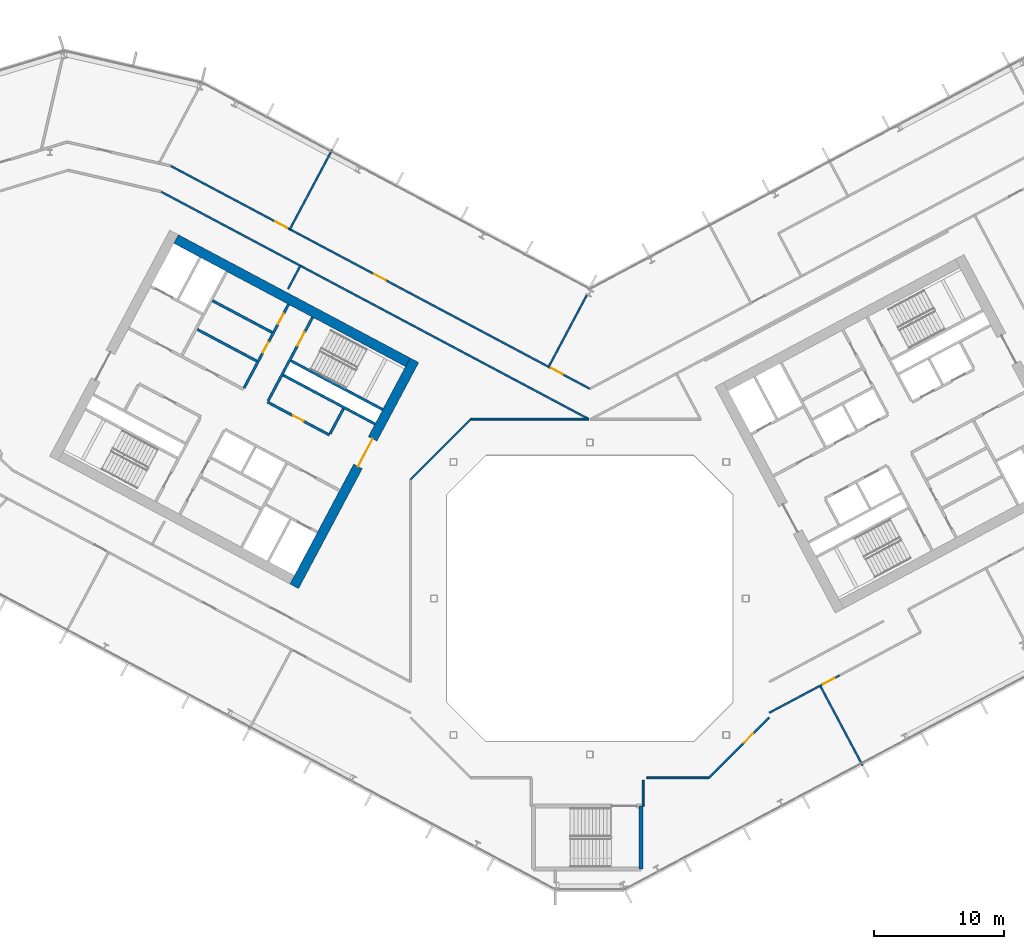
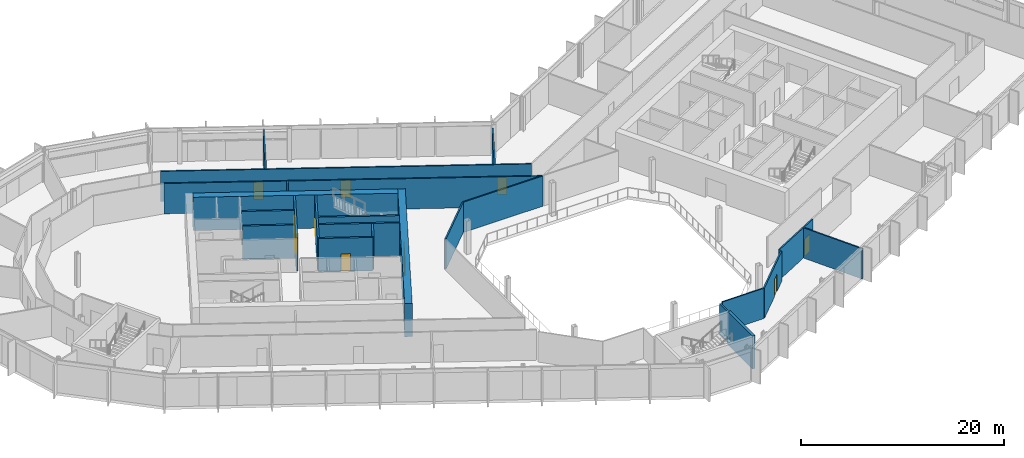
# One storey, part 15 of 28: 24 walls, 10 doors, 10 openings.
"""IFC4 building model written with IfcOpenShell, lengths in metres."""

from ifc_helpers import new_model, si_unit, direction, frame, frame_2d, origin, place, context, subcontext, project, spatial, rectangle, extrude, material, layer, layer_set, type_object, element, fill, save


model = new_model("IFC4")

# Units and contexts
model_context = context("Model", 3, precision=1e-05, world=origin(), true_north=direction((0.0, 1.0)))
body_context = subcontext(model_context, "Body", "Model", "MODEL_VIEW")
ifc_project = project(units=[si_unit("LENGTHUNIT", "METRE"), si_unit("AREAUNIT", "SQUARE_METRE"), si_unit("VOLUMEUNIT", "CUBIC_METRE"), si_unit("PLANEANGLEUNIT", "RADIAN"), si_unit("MASSUNIT", "GRAM", prefix="KILO")], contexts=[model_context])

# Site, building, storey
site_placement = place(None, origin())
site = spatial("IfcSite", under=ifc_project, at=site_placement, CompositionType="ELEMENT")
building_placement = place(site_placement, origin())
building = spatial("IfcBuilding", under=site, at=building_placement, Name="Cormorant Relay Tower", CompositionType="ELEMENT")
storey_placement = place(building_placement, frame((0.0, 0.0, 138.199951171875)))
storey = spatial("IfcBuildingStorey", under=building, at=storey_placement, Name="L28", CompositionType="ELEMENT", Elevation=138.199951171875)

# Walls
ifc_material_1 = material(Name="Concrete 40 MPa", Category="concrete")
ifc_layer_1 = layer(ifc_material_1, 0.199951171875)
ifc_layer_set_1 = layer_set([ifc_layer_1], Name="Core internal wall 200")
wall_type_1 = type_object("IfcWallType", Name="Core internal wall 200", PredefinedType="SOLIDWALL", material=ifc_layer_set_1)
wall_1_placement = place(storey_placement, frame((-24.449462890625, 20.474853515625, 0.0), z_axis=(0.0, 0.0, 1.0), x_axis=(-0.882934506056, 0.469496174655, 0.0)))
element("IfcWall", 1, at=wall_1_placement, inside=storey, type_object=wall_type_1, Name="L28 core A shaft and room wall", PredefinedType="SOLIDWALL", context=body_context, shape_type="SweptSolid", body=[
    extrude(rectangle(XDim=5.199951171875, YDim=0.199951171875, at=frame_2d((2.60009765625, 0.0))), origin(), (0.0, 0.0, 1.0), 4.0),
])
ifc_material_2 = material(Name="Concrete 50 MPa", Category="concrete")
ifc_layer_2 = layer(ifc_material_2, 0.199951171875)
ifc_layer_set_2 = layer_set([ifc_layer_2], Name="Core shaft wall 200")
wall_type_2 = type_object("IfcWallType", Name="Core shaft wall 200", PredefinedType="SHEAR", material=ifc_layer_set_2)
wall_2_placement = place(storey_placement, frame((-18.959716796875, 14.611328125, 0.0), z_axis=(0.0, 0.0, 1.0), x_axis=(-0.4694473164, -0.882960484464, 0.0)))
element("IfcWall", 2, at=wall_2_placement, inside=storey, type_object=wall_type_2, Name="L28 core A shaft wall", PredefinedType="SHEAR", context=body_context, shape_type="SweptSolid", body=[
    extrude(rectangle(XDim=2.199951171875, YDim=0.199951171875, at=frame_2d((1.10009765625, 0.0))), origin(), (0.0, 0.0, 1.0), 4.0),
])

# Wall, opening, door
wall_3_placement = place(storey_placement, frame((-21.333251953125, 21.6494140625, 0.0), z_axis=(0.0, 0.0, 1.0), x_axis=(-0.469494272526, -0.882935517501, 0.0)))
wall_3 = element("IfcWall", 3, at=wall_3_placement, inside=storey, type_object=wall_type_2, Name="L28 core A shaft wall", PredefinedType="SHEAR", context=body_context, shape_type="SweptSolid", body=[
    extrude(rectangle(XDim=7.2998046875, YDim=0.199951171875, at=frame_2d((3.64990234375, 0.0))), origin(), (0.0, 0.0, 1.0), 4.0),
])
opening_1_placement = place(wall_3_placement, frame((1.300048828125, 0.0, 0.0)))
opening_1 = element("IfcOpeningElement", 4, at=opening_1_placement, cuts=wall_3, Name="Opening CDB-034", PredefinedType="OPENING", context=body_context, shape_type="SweptSolid", body=[
    extrude(rectangle(XDim=1.199951171875, YDim=2.10009765625, at=frame_2d((0.60009765625, 1.050048828125))), frame((0.0, 0.10986328125, 0.0), z_axis=(0.0, -1.0, 0.0), x_axis=(1.0, 0.0, 0.0)), (0.0, 0.0, 1.0), 0.219970703125),
])
ifc_material_3 = material(Name="Steel fire door", Category="steel")
door_type_1 = type_object("IfcDoorType", Name="Core stair door 1200x2100", OperationType="SINGLE_SWING_LEFT", PredefinedType="DOOR", material=ifc_material_3)
door_1_placement = place(opening_1_placement, origin())
door_1 = element("IfcDoor", 5, at=door_1_placement, inside=storey, type_object=door_type_1, Name="Core stair door 1200x2100", OperationType="SINGLE_SWING_RIGHT", OverallHeight=2.10009765625, OverallWidth=1.199951171875, PredefinedType="DOOR", context=body_context, shape_type="SweptSolid", body=[
    extrude(rectangle(XDim=1.199951171875, YDim=2.10009765625, at=frame_2d((0.60009765625, 1.050048828125))), frame((0.0, 0.02490234375, 0.0), z_axis=(0.0, -1.0, 0.0), x_axis=(1.0, 0.0, 0.0)), (0.0, 0.0, 1.0), 0.050048828125),
])
fill(opening_1, door_1)

# Wall, openings, doors
wall_4_placement = place(storey_placement, frame((-23.1875, 22.635498046875, 0.0), z_axis=(0.0, 0.0, 1.0), x_axis=(-0.469454336211, -0.882956752176, 0.0)))
wall_4 = element("IfcWall", 6, at=wall_4_placement, inside=storey, type_object=wall_type_2, Name="L28 core A shaft wall", PredefinedType="SHEAR", context=body_context, shape_type="SweptSolid", body=[
    extrude(rectangle(XDim=7.300048828125, YDim=0.199951171875, at=frame_2d((3.64990234375, 0.0))), origin(), (0.0, 0.0, 1.0), 4.0),
])
opening_2_placement = place(wall_4_placement, frame((0.800048828125, 0.0, 0.0)))
opening_2 = element("IfcOpeningElement", 7, at=opening_2_placement, cuts=wall_4, Name="Opening CDD-189", PredefinedType="OPENING", context=body_context, shape_type="SweptSolid", body=[
    extrude(rectangle(XDim=0.89990234375, YDim=2.10009765625, at=frame_2d((0.449951171875, 1.050048828125))), frame((0.0, 0.10986328125, 0.0), z_axis=(0.0, -1.0, 0.0), x_axis=(1.0, 0.0, 0.0)), (0.0, 0.0, 1.0), 0.219970703125),
])
opening_3_placement = place(wall_4_placement, frame((3.300048828125, 0.0, 0.0)))
opening_3 = element("IfcOpeningElement", 8, at=opening_3_placement, cuts=wall_4, Name="Opening CDD-190", PredefinedType="OPENING", context=body_context, shape_type="SweptSolid", body=[
    extrude(rectangle(XDim=0.89990234375, YDim=2.10009765625, at=frame_2d((0.449951171875, 1.050048828125))), frame((0.0, 0.10986328125, 0.0), z_axis=(0.0, -1.0, 0.0), x_axis=(1.0, 0.0, 0.0)), (0.0, 0.0, 1.0), 0.219970703125),
])
ifc_material_4 = material(Name="Steel fire door", Category="steel")
door_type_2 = type_object("IfcDoorType", Name="Core room door 900x2100", OperationType="SINGLE_SWING_LEFT", PredefinedType="DOOR", material=ifc_material_4)
door_2_placement = place(opening_2_placement, frame((0.89990234375, 0.0, 0.0), z_axis=(0.0, 0.0, 1.0), x_axis=(-1.0, 0.0, 0.0)))
door_2 = element("IfcDoor", 9, at=door_2_placement, inside=storey, type_object=door_type_2, Name="Core room door 900x2100", OperationType="SINGLE_SWING_LEFT", OverallHeight=2.10009765625, OverallWidth=0.89990234375, PredefinedType="DOOR", context=body_context, shape_type="SweptSolid", body=[
    extrude(rectangle(XDim=0.89990234375, YDim=2.10009765625, at=frame_2d((0.449951171875, 1.050048828125))), frame((0.0, 0.02490234375, 0.0), z_axis=(0.0, -1.0, 0.0), x_axis=(1.0, 0.0, 0.0)), (0.0, 0.0, 1.0), 0.050048828125),
])
fill(opening_2, door_2)
door_3_placement = place(opening_3_placement, frame((0.89990234375, 0.0, 0.0), z_axis=(0.0, 0.0, 1.0), x_axis=(-1.0, 0.0, 0.0)))
door_3 = element("IfcDoor", 10, at=door_3_placement, inside=storey, type_object=door_type_2, Name="Core room door 900x2100", OperationType="SINGLE_SWING_RIGHT", OverallHeight=2.10009765625, OverallWidth=0.89990234375, PredefinedType="DOOR", context=body_context, shape_type="SweptSolid", body=[
    extrude(rectangle(XDim=0.89990234375, YDim=2.10009765625, at=frame_2d((0.449951171875, 1.050048828125))), frame((0.0, 0.02490234375, 0.0), z_axis=(0.0, -1.0, 0.0), x_axis=(1.0, 0.0, 0.0)), (0.0, 0.0, 1.0), 0.050048828125),
])
fill(opening_3, door_3)

# Walls
wall_5_placement = place(storey_placement, frame((-15.94189453125, 14.53564453125, 0.0), z_axis=(0.0, 0.0, 1.0), x_axis=(-0.882946947542, 0.469472776449, 0.0)))
element("IfcWall", 11, at=wall_5_placement, inside=storey, type_object=wall_type_2, Name="L28 core A shaft wall", PredefinedType="SHEAR", context=body_context, shape_type="SweptSolid", body=[
    extrude(rectangle(XDim=8.000244140625, YDim=0.199951171875, at=frame_2d((4.0, 0.0))), origin(), (0.0, 0.0, 1.0), 4.0),
])
wall_6_placement = place(storey_placement, frame((-16.52880859375, 13.43212890625, 0.0), z_axis=(0.0, 0.0, 1.0), x_axis=(-0.88295287151, 0.469461634952, 0.0)))
element("IfcWall", 12, at=wall_6_placement, inside=storey, type_object=wall_type_2, Name="L28 core A shaft wall", PredefinedType="SHEAR", context=body_context, shape_type="SweptSolid", body=[
    extrude(rectangle(XDim=7.999755859375, YDim=0.199951171875, at=frame_2d((4.0, 0.0))), origin(), (0.0, 0.0, 1.0), 4.0),
])
wall_7_placement = place(storey_placement, frame((-25.623046875, 18.267578125, 0.0), z_axis=(0.0, 0.0, 1.0), x_axis=(-0.882953967957, 0.469459572775, 0.0)))
element("IfcWall", 13, at=wall_7_placement, inside=storey, type_object=wall_type_2, Name="L28 core A shaft wall", PredefinedType="SHEAR", context=body_context, shape_type="SweptSolid", body=[
    extrude(rectangle(XDim=5.199951171875, YDim=0.199951171875, at=frame_2d((2.60009765625, 0.0))), origin(), (0.0, 0.0, 1.0), 4.0),
])

# Wall, opening, door
wall_8_placement = place(storey_placement, frame((-20.03955078125, 12.58056640625, 0.0), z_axis=(0.0, 0.0, 1.0), x_axis=(-0.882942972946, 0.469480251476, 0.0)))
wall_8 = element("IfcWall", 14, at=wall_8_placement, inside=storey, type_object=wall_type_2, Name="L28 core A shaft wall", PredefinedType="SHEAR", context=body_context, shape_type="SweptSolid", body=[
    extrude(rectangle(XDim=5.39990234375, YDim=0.199951171875, at=frame_2d((2.699951171875, 0.0))), origin(), (0.0, 0.0, 1.0), 4.0),
])
opening_4_placement = place(wall_8_placement, frame((2.25, 0.0, 0.0)))
opening_4 = element("IfcOpeningElement", 15, at=opening_4_placement, cuts=wall_8, Name="Opening CDD-185", PredefinedType="OPENING", context=body_context, shape_type="SweptSolid", body=[
    extrude(rectangle(XDim=0.89990234375, YDim=2.10009765625, at=frame_2d((0.449951171875, 1.050048828125))), frame((0.0, 0.10986328125, 0.0), z_axis=(0.0, -1.0, 0.0), x_axis=(1.0, 0.0, 0.0)), (0.0, 0.0, 1.0), 0.219970703125),
])
door_4_placement = place(opening_4_placement, frame((0.89990234375, 0.0, 0.0), z_axis=(0.0, 0.0, 1.0), x_axis=(-1.0, 0.0, 0.0)))
door_4 = element("IfcDoor", 16, at=door_4_placement, inside=storey, type_object=door_type_2, Name="Core room door 900x2100", OperationType="SINGLE_SWING_RIGHT", OverallHeight=2.10009765625, OverallWidth=0.89990234375, PredefinedType="DOOR", context=body_context, shape_type="SweptSolid", body=[
    extrude(rectangle(XDim=0.89990234375, YDim=2.10009765625, at=frame_2d((0.449951171875, 1.050048828125))), frame((0.0, 0.02490234375, 0.0), z_axis=(0.0, -1.0, 0.0), x_axis=(1.0, 0.0, 0.0)), (0.0, 0.0, 1.0), 0.050048828125),
])
fill(opening_4, door_4)

ifc_material_5 = material(Name="Concrete 60 MPa", Category="concrete")
ifc_layer_3 = layer(ifc_material_5, 0.75)
ifc_layer_set_3 = layer_set([ifc_layer_3], Name="Core wall 750")
wall_type_3 = type_object("IfcWallType", Name="Core wall 750", PredefinedType="SHEAR", material=ifc_layer_set_3)
wall_9_placement = place(storey_placement, frame((-13.498291015625, 18.3330078125, 0.0), z_axis=(0.0, 0.0, 1.0), x_axis=(-0.469469918705, -0.88294846703, 0.0)))
wall_9 = element("IfcWall", 17, at=wall_9_placement, inside=storey, type_object=wall_type_3, Name="L28 core A wall", PredefinedType="SHEAR", context=body_context, shape_type="SweptSolid", body=[
    extrude(rectangle(XDim=19.699951171875, YDim=0.75, at=frame_2d((9.85009765625, 0.0))), origin(), (0.0, 0.0, 1.0), 4.0),
])
opening_5_placement = place(wall_9_placement, frame((6.85009765625, 0.0, 0.0)))
opening_5 = element("IfcOpeningElement", 18, at=opening_5_placement, cuts=wall_9, Name="Opening CDA-030", PredefinedType="OPENING", context=body_context, shape_type="SweptSolid", body=[
    extrude(rectangle(XDim=2.39990234375, YDim=2.39990234375, at=frame_2d((1.199951171875, 1.199951171875))), frame((0.0, 0.385009765625, 0.0), z_axis=(0.0, -1.0, 0.0), x_axis=(1.0, 0.0, 0.0)), (0.0, 0.0, 1.0), 0.77001953125),
])
ifc_material_6 = material(Name="Steel fire door", Category="steel")
door_type_3 = type_object("IfcDoorType", Name="Core lobby door 2400x2400", OperationType="DOUBLE_DOOR_SINGLE_SWING", PredefinedType="DOOR", material=ifc_material_6)
door_5_placement = place(opening_5_placement, frame((2.39990234375, 0.0, 0.0), z_axis=(0.0, 0.0, 1.0), x_axis=(-1.0, 0.0, 0.0)))
door_5 = element("IfcDoor", 19, at=door_5_placement, inside=storey, type_object=door_type_3, Name="Core lobby door 2400x2400", OperationType="DOUBLE_DOOR_SINGLE_SWING", OverallHeight=2.39990234375, OverallWidth=2.39990234375, PredefinedType="DOOR", context=body_context, shape_type="SweptSolid", body=[
    extrude(rectangle(XDim=2.39990234375, YDim=2.39990234375, at=frame_2d((1.199951171875, 1.199951171875))), frame((0.0, 0.02490234375, 0.0), z_axis=(0.0, -1.0, 0.0), x_axis=(1.0, 0.0, 0.0)), (0.0, 0.0, 1.0), 0.050048828125),
])
fill(opening_5, door_5)

# Walls
wall_10_placement = place(storey_placement, frame((-14.00537109375, 18.177978515625, 0.0), z_axis=(0.0, 0.0, 1.0), x_axis=(-0.88295010195, 0.469466843842, 0.0)))
element("IfcWall", 20, at=wall_10_placement, inside=storey, type_object=wall_type_3, Name="L28 core A wall", PredefinedType="SHEAR", context=body_context, shape_type="SweptSolid", body=[
    extrude(rectangle(XDim=20.199951171875, YDim=0.75, at=frame_2d((10.10009765625, 0.0))), origin(), (0.0, 0.0, 1.0), 4.0),
])
ifc_material_7 = material(Name="Gypsum board fire partition")
ifc_layer_4 = layer(ifc_material_7, 0.14990234375)
ifc_layer_set_4 = layer_set([ifc_layer_4], Name="Corridor partition 150 EI 60")
wall_type_4 = type_object("IfcWallType", Name="Corridor partition 150 EI 60", PredefinedType="PARTITIONING", material=ifc_layer_set_4)
wall_11_placement = place(storey_placement, frame((-33.0, 31.306884765625, 0.0), z_axis=(0.0, 0.0, 1.0), x_axis=(0.882966008295, -0.469436926748, 0.0)))
element("IfcWall", 21, at=wall_11_placement, inside=storey, type_object=wall_type_4, Name="wall/L28/part/023", PredefinedType="PARTITIONING", context=body_context, shape_type="SweptSolid", body=[
    extrude(rectangle(XDim=12.144287109375, YDim=0.14990234375, at=frame_2d((6.072265625, 0.0))), origin(), (0.0, 0.0, 1.0), 3.64013671875),
])

# Wall, openings, doors
wall_12_placement = place(storey_placement, frame((-32.258056640625, 33.291015625, 0.0), z_axis=(0.0, 0.0, 1.0), x_axis=(0.882945475173, -0.469475545552, 0.0)))
wall_12 = element("IfcWall", 22, at=wall_12_placement, inside=storey, type_object=wall_type_4, Name="wall/L28/part/040", PredefinedType="PARTITIONING", context=body_context, shape_type="SweptSolid", body=[
    extrude(rectangle(XDim=36.53466796875, YDim=0.14990234375, at=frame_2d((18.267333984375, 0.0))), origin(), (0.0, 0.0, 1.0), 3.64013671875),
])
opening_6_placement = place(wall_12_placement, frame((33.14990234375, 0.0, 0.0)))
opening_6 = element("IfcOpeningElement", 23, at=opening_6_placement, cuts=wall_12, Name="Opening DS-022", PredefinedType="OPENING", context=body_context, shape_type="SweptSolid", body=[
    extrude(rectangle(XDim=1.0, YDim=2.10009765625, at=frame_2d((0.5, 1.050048828125))), frame((0.0, 0.0849609375, 0.0), z_axis=(0.0, -1.0, 0.0), x_axis=(1.0, 0.0, 0.0)), (0.0, 0.0, 1.0), 0.169921875),
])
opening_7_placement = place(wall_12_placement, frame((17.75, 0.0, 0.0)))
opening_7 = element("IfcOpeningElement", 24, at=opening_7_placement, cuts=wall_12, Name="Opening DS-023", PredefinedType="OPENING", context=body_context, shape_type="SweptSolid", body=[
    extrude(rectangle(XDim=1.0, YDim=2.10009765625, at=frame_2d((0.5, 1.050048828125))), frame((0.0, 0.0849609375, 0.0), z_axis=(0.0, -1.0, 0.0), x_axis=(1.0, 0.0, 0.0)), (0.0, 0.0, 1.0), 0.169921875),
])
opening_8_placement = place(wall_12_placement, frame((9.14892578125, 0.0, 0.0)))
opening_8 = element("IfcOpeningElement", 25, at=opening_8_placement, cuts=wall_12, Name="Opening DS-024", PredefinedType="OPENING", context=body_context, shape_type="SweptSolid", body=[
    extrude(rectangle(XDim=1.0, YDim=2.10009765625, at=frame_2d((0.5, 1.050048828125))), frame((0.0, 0.0849609375, 0.0), z_axis=(0.0, -1.0, 0.0), x_axis=(1.0, 0.0, 0.0)), (0.0, 0.0, 1.0), 0.169921875),
])
ifc_material_8 = material(Name="Timber door leaf", Category="wood")
door_type_4 = type_object("IfcDoorType", Name="Suite door 1000x2100", OperationType="SINGLE_SWING_LEFT", PredefinedType="DOOR", material=ifc_material_8)
door_6_placement = place(opening_6_placement, origin())
door_6 = element("IfcDoor", 26, at=door_6_placement, inside=storey, type_object=door_type_4, Name="door/L28/009", OperationType="SINGLE_SWING_LEFT", OverallHeight=2.10009765625, OverallWidth=1.0, PredefinedType="DOOR", context=body_context, shape_type="SweptSolid", body=[
    extrude(rectangle(XDim=1.0, YDim=2.10009765625, at=frame_2d((0.5, 1.050048828125))), frame((0.0, 0.02490234375, 0.0), z_axis=(0.0, -1.0, 0.0), x_axis=(1.0, 0.0, 0.0)), (0.0, 0.0, 1.0), 0.050048828125),
])
fill(opening_6, door_6)
door_7_placement = place(opening_7_placement, origin())
door_7 = element("IfcDoor", 27, at=door_7_placement, inside=storey, type_object=door_type_4, Name="door/L28/010", OperationType="SINGLE_SWING_RIGHT", OverallHeight=2.10009765625, OverallWidth=1.0, PredefinedType="DOOR", context=body_context, shape_type="SweptSolid", body=[
    extrude(rectangle(XDim=1.0, YDim=2.10009765625, at=frame_2d((0.5, 1.050048828125))), frame((0.0, 0.02490234375, 0.0), z_axis=(0.0, -1.0, 0.0), x_axis=(1.0, 0.0, 0.0)), (0.0, 0.0, 1.0), 0.050048828125),
])
fill(opening_7, door_7)
door_8_placement = place(opening_8_placement, origin())
door_8 = element("IfcDoor", 28, at=door_8_placement, inside=storey, type_object=door_type_4, Name="door/L28/011", OperationType="SINGLE_SWING_RIGHT", OverallHeight=2.10009765625, OverallWidth=1.0, PredefinedType="DOOR", context=body_context, shape_type="SweptSolid", body=[
    extrude(rectangle(XDim=1.0, YDim=2.10009765625, at=frame_2d((0.5, 1.050048828125))), frame((0.0, 0.02490234375, 0.0), z_axis=(0.0, -1.0, 0.0), x_axis=(1.0, 0.0, 0.0)), (0.0, 0.0, 1.0), 0.050048828125),
])
fill(opening_8, door_8)

# Walls
wall_13_placement = place(storey_placement, frame((-0.073974609375, 13.800048828125, 0.0), z_axis=(0.0, 0.0, 1.0), x_axis=(-0.8829426933, 0.4694807774, 0.0)))
element("IfcWall", 29, at=wall_13_placement, inside=storey, type_object=wall_type_4, Name="wall/L28/part/043", PredefinedType="PARTITIONING", context=body_context, shape_type="SweptSolid", body=[
    extrude(rectangle(XDim=25.146728515625, YDim=0.14990234375, at=frame_2d((12.5732421875, 0.0))), origin(), (0.0, 0.0, 1.0), 3.64013671875),
])
wall_14_placement = place(storey_placement, frame((-0.073974609375, 13.800048828125, 0.0), z_axis=(0.0, 0.0, 1.0), x_axis=(-1.0, 0.0, 0.0)))
element("IfcWall", 30, at=wall_14_placement, inside=storey, type_object=wall_type_4, Name="wall/L28/part/045", PredefinedType="PARTITIONING", context=body_context, shape_type="SweptSolid", body=[
    extrude(rectangle(XDim=9.0859375, YDim=0.14990234375, at=frame_2d((4.54296875, 0.0))), origin(), (0.0, 0.0, 1.0), 3.64013671875),
])
wall_15_placement = place(storey_placement, frame((-9.159912109375, 13.800048828125, 0.0), z_axis=(0.0, 0.0, 1.0), x_axis=(-0.707106781187, -0.707106781187, 0.0)))
element("IfcWall", 31, at=wall_15_placement, inside=storey, type_object=wall_type_4, Name="wall/L28/part/046", PredefinedType="PARTITIONING", context=body_context, shape_type="SweptSolid", body=[
    extrude(rectangle(XDim=6.562255859375, YDim=0.14990234375, at=frame_2d((3.28125, 0.0))), origin(), (0.0, 0.0, 1.0), 3.64013671875),
])
wall_16_placement = place(storey_placement, frame((4.10009765625, -15.97509765625, 0.0), z_axis=(0.0, 0.0, 1.0), x_axis=(0.0, 1.0, 0.0)))
element("IfcWall", 32, at=wall_16_placement, inside=storey, type_object=wall_type_4, Name="wall/L28/part/053", PredefinedType="PARTITIONING", context=body_context, shape_type="SweptSolid", body=[
    extrude(rectangle(XDim=1.9970703125, YDim=0.14990234375, at=frame_2d((0.99853515625, 0.0))), origin(), (0.0, 0.0, 1.0), 3.64013671875),
])

# Wall, opening, door
wall_17_placement = place(storey_placement, frame((13.800048828125, -9.159912109375, 0.0), z_axis=(0.0, 0.0, 1.0), x_axis=(-0.707106781187, -0.707106781187, 0.0)))
wall_17 = element("IfcWall", 33, at=wall_17_placement, inside=storey, type_object=wall_type_4, Name="wall/L28/part/054", PredefinedType="PARTITIONING", context=body_context, shape_type="SweptSolid", body=[
    extrude(rectangle(XDim=6.562255859375, YDim=0.14990234375, at=frame_2d((3.28125, 0.0))), origin(), (0.0, 0.0, 1.0), 3.64013671875),
])
opening_9_placement = place(wall_17_placement, frame((1.75, 0.0, 0.0)))
opening_9 = element("IfcOpeningElement", 34, at=opening_9_placement, cuts=wall_17, Name="Opening DS-018", PredefinedType="OPENING", context=body_context, shape_type="SweptSolid", body=[
    extrude(rectangle(XDim=1.0, YDim=2.10009765625, at=frame_2d((0.5, 1.050048828125))), frame((0.0, 0.0849609375, 0.0), z_axis=(0.0, -1.0, 0.0), x_axis=(1.0, 0.0, 0.0)), (0.0, 0.0, 1.0), 0.169921875),
])
door_9_placement = place(opening_9_placement, origin())
door_9 = element("IfcDoor", 35, at=door_9_placement, inside=storey, type_object=door_type_4, Name="door/L28/003", OperationType="SINGLE_SWING_LEFT", OverallHeight=2.10009765625, OverallWidth=1.0, PredefinedType="DOOR", context=body_context, shape_type="SweptSolid", body=[
    extrude(rectangle(XDim=1.0, YDim=2.10009765625, at=frame_2d((0.5, 1.050048828125))), frame((0.0, 0.02490234375, 0.0), z_axis=(0.0, -1.0, 0.0), x_axis=(1.0, 0.0, 0.0)), (0.0, 0.0, 1.0), 0.050048828125),
])
fill(opening_9, door_9)

# Wall
wall_18_placement = place(storey_placement, frame((9.159912109375, -13.800048828125, 0.0), z_axis=(0.0, 0.0, 1.0), x_axis=(-1.0, 0.0, 0.0)))
element("IfcWall", 36, at=wall_18_placement, inside=storey, type_object=wall_type_4, Name="wall/L28/part/055", PredefinedType="PARTITIONING", context=body_context, shape_type="SweptSolid", body=[
    extrude(rectangle(XDim=4.760986328125, YDim=0.14990234375, at=frame_2d((2.38037109375, 0.0))), origin(), (0.0, 0.0, 1.0), 3.64013671875),
])

# Wall, opening, door
wall_19_placement = place(storey_placement, frame((19.216064453125, -5.922119140625, 0.0), z_axis=(0.0, 0.0, 1.0), x_axis=(-0.882938387259, -0.469488875591, 0.0)))
wall_19 = element("IfcWall", 37, at=wall_19_placement, inside=storey, type_object=wall_type_4, Name="wall/L28/part/057", PredefinedType="PARTITIONING", context=body_context, shape_type="SweptSolid", body=[
    extrude(rectangle(XDim=6.134033203125, YDim=0.14990234375, at=frame_2d((3.06689453125, 0.0))), origin(), (0.0, 0.0, 1.0), 3.64013671875),
])
opening_10_placement = place(wall_19_placement, frame((0.449951171875, 0.0, 0.0)))
opening_10 = element("IfcOpeningElement", 38, at=opening_10_placement, cuts=wall_19, Name="Opening DS-019", PredefinedType="OPENING", context=body_context, shape_type="SweptSolid", body=[
    extrude(rectangle(XDim=1.0, YDim=2.10009765625, at=frame_2d((0.5, 1.050048828125))), frame((0.0, 0.0849609375, 0.0), z_axis=(0.0, -1.0, 0.0), x_axis=(1.0, 0.0, 0.0)), (0.0, 0.0, 1.0), 0.169921875),
])
door_10_placement = place(opening_10_placement, origin())
door_10 = element("IfcDoor", 39, at=door_10_placement, inside=storey, type_object=door_type_4, Name="door/L28/004", OperationType="SINGLE_SWING_RIGHT", OverallHeight=2.10009765625, OverallWidth=1.0, PredefinedType="DOOR", context=body_context, shape_type="SweptSolid", body=[
    extrude(rectangle(XDim=1.0, YDim=2.10009765625, at=frame_2d((0.5, 1.050048828125))), frame((0.0, 0.02490234375, 0.0), z_axis=(0.0, -1.0, 0.0), x_axis=(1.0, 0.0, 0.0)), (0.0, 0.0, 1.0), 0.050048828125),
])
fill(opening_10, door_10)

# Walls
ifc_material_9 = material(Name="Concrete 50 MPa", Category="concrete")
ifc_layer_5 = layer(ifc_material_9, 0.300048828125)
ifc_layer_set_5 = layer_set([ifc_layer_5], Name="Remote stair wall 300")
wall_type_5 = type_object("IfcWallType", Name="Remote stair wall 300", PredefinedType="SHEAR", material=ifc_layer_set_5)
wall_20_placement = place(storey_placement, frame((3.949951171875, -15.97509765625, 0.0), z_axis=(0.0, 0.0, 1.0), x_axis=(0.0, -1.0, 0.0)))
element("IfcWall", 40, at=wall_20_placement, inside=storey, type_object=wall_type_5, Name="L28 exit stair RK1 wall", PredefinedType="SHEAR", context=body_context, shape_type="SweptSolid", body=[
    extrude(rectangle(XDim=4.849853515625, YDim=0.300048828125, at=frame_2d((2.4248046875, 0.0))), origin(), (0.0, 0.0, 1.0), 4.0),
])
ifc_material_10 = material(Name="Gypsum board partition")
ifc_layer_6 = layer(ifc_material_10, 0.14990234375)
ifc_layer_set_6 = layer_set([ifc_layer_6], Name="Tenant partition 150")
wall_type_6 = type_object("IfcWallType", Name="Tenant partition 150", PredefinedType="PARTITIONING", material=ifc_layer_set_6)
wall_21_placement = place(storey_placement, frame((-19.822021484375, 34.550048828125, 0.0), z_axis=(0.0, 0.0, 1.0), x_axis=(-0.469455680488, -0.882956037443, 0.0)))
element("IfcWall", 41, at=wall_21_placement, inside=storey, type_object=wall_type_6, Name="wall/L28/part/039", PredefinedType="PARTITIONING", context=body_context, shape_type="SweptSolid", body=[
    extrude(rectangle(XDim=6.950439453125, YDim=0.14990234375, at=frame_2d((3.47509765625, 0.0))), origin(), (0.0, 0.0, 1.0), 3.64013671875),
])
wall_22_placement = place(storey_placement, frame((-22.277099609375, 25.60595703125, 0.0), z_axis=(0.0, 0.0, 1.0), x_axis=(-0.469295881328, -0.88304098193, 0.0)))
element("IfcWall", 42, at=wall_22_placement, inside=storey, type_object=wall_type_6, Name="wall/L28/part/042", PredefinedType="PARTITIONING", context=body_context, shape_type="SweptSolid", body=[
    extrude(rectangle(XDim=2.030517578125, YDim=0.14990234375, at=frame_2d((1.01513671875, 0.0))), origin(), (0.0, 0.0, 1.0), 3.64013671875),
])
wall_23_placement = place(storey_placement, frame((-0.22412109375, 23.364013671875, 0.0), z_axis=(0.0, 0.0, 1.0), x_axis=(-0.469363853193, -0.883004854639, 0.0)))
element("IfcWall", 43, at=wall_23_placement, inside=storey, type_object=wall_type_6, Name="wall/L28/part/044", PredefinedType="PARTITIONING", context=body_context, shape_type="SweptSolid", body=[
    extrude(rectangle(XDim=6.274169921875, YDim=0.14990234375, at=frame_2d((3.13720703125, 0.0))), origin(), (0.0, 0.0, 1.0), 3.64013671875),
])
wall_24_placement = place(storey_placement, frame((17.72705078125, -6.712890625, 0.0), z_axis=(0.0, 0.0, 1.0), x_axis=(0.469441120945, -0.8829637784, 0.0)))
element("IfcWall", 44, at=wall_24_placement, inside=storey, type_object=wall_type_6, Name="wall/L28/part/056", PredefinedType="PARTITIONING", context=body_context, shape_type="SweptSolid", body=[
    extrude(rectangle(XDim=6.95068359375, YDim=0.14990234375, at=frame_2d((3.475341796875, 0.0))), origin(), (0.0, 0.0, 1.0), 3.64013671875),
])

save(model, "model.ifc")
